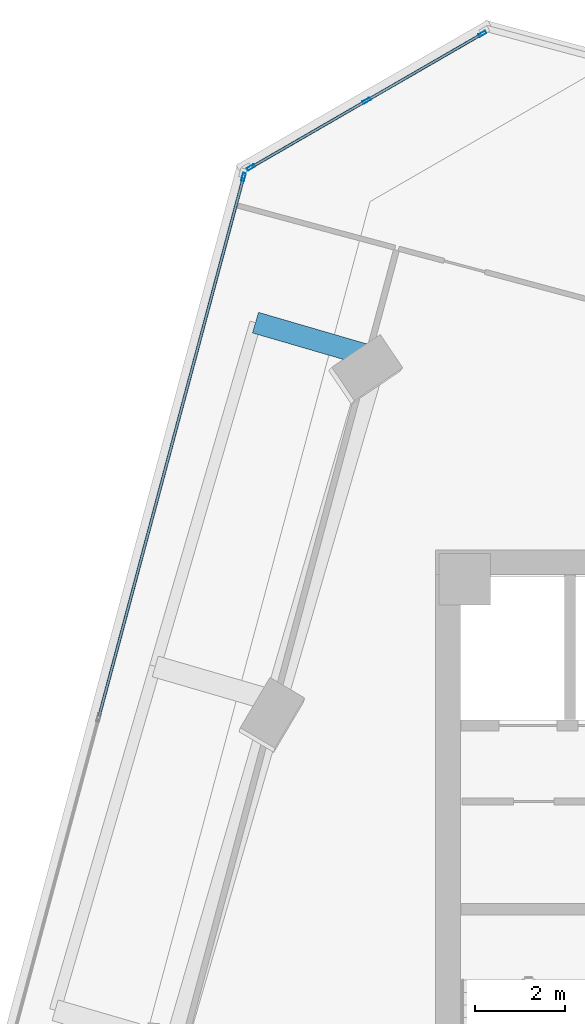
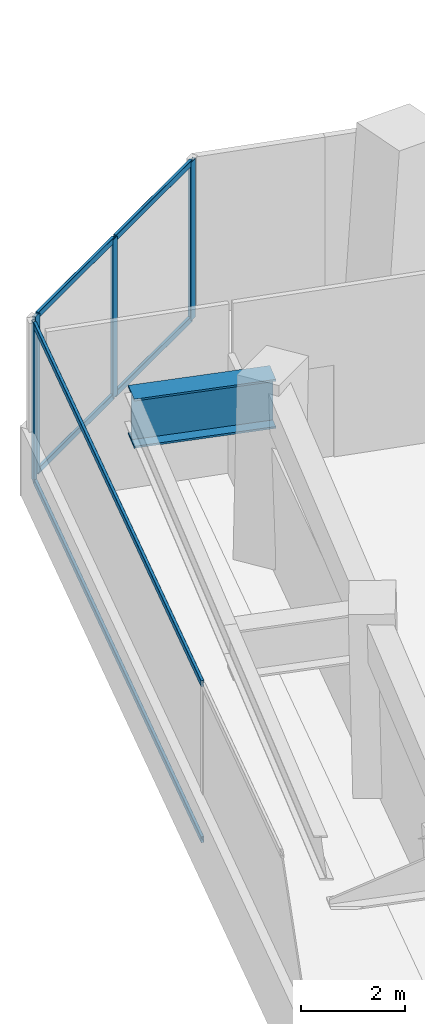
# One storey, part 12 of 26: 10 members, 1 beam, 2 elements without a shape of their own.
"""IFC4 building model written with IfcOpenShell, lengths in metres."""

from ifc_helpers import new_model, si_unit, direction, frame, origin, origin_2d, place, context, subcontext, project, spatial, hollow_rectangle, i_section, extrude, source, transform, mapped, material, material_profile, profile_set, type_object, element, aggregate, save


model = new_model("IFC4")

# Units and contexts
model_context = context("Model", 3, precision=1e-05, world=origin(), true_north=direction((0.0, 1.0)))
body_context = subcontext(model_context, "Body", "Model", "MODEL_VIEW")
ifc_project = project(units=[si_unit("LENGTHUNIT", "METRE"), si_unit("AREAUNIT", "SQUARE_METRE"), si_unit("VOLUMEUNIT", "CUBIC_METRE"), si_unit("PLANEANGLEUNIT", "RADIAN"), si_unit("MASSUNIT", "GRAM", prefix="KILO")], contexts=[model_context])

# Site, building, storey
site_placement = place(None, origin())
site = spatial("IfcSite", under=ifc_project, at=site_placement, CompositionType="ELEMENT")
building_placement = place(site_placement, origin())
building = spatial("IfcBuilding", under=site, at=building_placement, Name="Torre Montelarca", CompositionType="ELEMENT")
storey_placement = place(building_placement, frame((0.0, 0.0, 104.199951171875)))
storey = spatial("IfcBuildingStorey", under=building, at=storey_placement, Name="L23", CompositionType="ELEMENT", Elevation=104.199951171875)

# Beam
ifc_material_1 = material(Name="Steel ASTM A572 Grade 50", Category="steel")
ifc_material_profile_1 = material_profile(ifc_material_1, i_section(OverallWidth=0.47998046875, OverallDepth=1.14990234375, WebThickness=0.02197265625, FlangeThickness=0.044921875, at=origin_2d()), Name="PG1150X480X22X45", Category="steel")
ifc_profile_set_1 = profile_set([ifc_material_profile_1], Name="Steel ASTM A572 Grade 50")
beam_type = type_object("IfcBeamType", Name="BM-CG-PG1400-EXT", PredefinedType="USERDEFINED", material=ifc_profile_set_1)
shared_shape_1 = source(origin(), body_context, "Body", "SweptSolid", [
    extrude(i_section(OverallWidth=0.47998046875, OverallDepth=1.14990234375, WebThickness=0.02197265625, FlangeThickness=0.044921875, at=origin_2d()), origin(), (0.0, 0.0, 1.0), 2.7998046875),
])
beam_placement = place(storey_placement, frame((7.561767578125, 44.3955078125, 3.385009765625), z_axis=(-0.960052720473, 0.279819180745, 0.0), x_axis=(-0.279819180745, -0.960052720473, 0.0)))
element("IfcBeam", 1, at=beam_placement, inside=storey, type_object=beam_type, Name="L23 Sliding Tray Cantilever Girder West Y=40.0m (FLR)", ObjectType="CANTILEVER GIRDER", PredefinedType="USERDEFINED", context=body_context, shape_type="MappedRepresentation", body=[
    mapped(shared_shape_1, transform((0.0, 0.0, 0.0), scale=1.0)),
])

# Curtain wall, members
ifc_material_2 = material(Name="Insulated low-E laminated glass", Category="glass")
curtain_wall_type = type_object("IfcCurtainWallType", Name="CW-SYS-Z1", PredefinedType="USERDEFINED", material=ifc_material_2)
curtain_wall_1_placement = place(storey_placement, origin())
curtain_wall_1 = element("IfcCurtainWall", 2, at=curtain_wall_1_placement, inside=storey, type_object=curtain_wall_type, Name="L23 Curtain Wall Run CW-T3-L23-E09-B1", ObjectType="UNITISED GLAZING", PredefinedType="USERDEFINED")
ifc_material_3 = material(Name="Anodised aluminium AA 6063-T6", Category="aluminium")
ifc_material_profile_2 = material_profile(ifc_material_3, hollow_rectangle(XDim=0.06494140625, YDim=0.139892578125, WallThickness=0.00390625, InnerFilletRadius=0.00390625, OuterFilletRadius=0.008056640625, at=origin_2d()), Name="ALU65X140X4", Category="aluminium")
ifc_profile_set_2 = profile_set([ifc_material_profile_2], Name="Anodised aluminium AA 6063-T6")
member_type_1 = type_object("IfcMemberType", Name="CWT-ALU140", PredefinedType="USERDEFINED", material=ifc_profile_set_2)
shared_shape_2 = source(origin(), body_context, "Body", "SweptSolid", [
    extrude(hollow_rectangle(XDim=0.06494140625, YDim=0.139892578125, WallThickness=0.00390625, InnerFilletRadius=0.00390625, OuterFilletRadius=0.008056640625, at=origin_2d()), origin(), (0.0, 0.0, 1.0), 2.9189453125),
])
member_1_placement = place(storey_placement, frame((7.326171875, 50.12109375, 0.032470703125), z_axis=(-0.866021227388, -0.500007233661, 0.0), x_axis=(0.500007233661, -0.866021227388, 0.0)))
member_1 = element("IfcMember", 3, at=member_1_placement, type_object=member_type_1, Name="CW transom 2.1", ObjectType="TRANSOM", PredefinedType="USERDEFINED", context=body_context, shape_type="MappedRepresentation", body=[
    mapped(shared_shape_2, transform((0.0, 0.0, 0.0), scale=1.0)),
])
member_2_placement = place(storey_placement, frame((7.326171875, 50.12109375, 3.6875), z_axis=(-0.866021227388, -0.500007233661, 0.0), x_axis=(0.500007233661, -0.866021227388, 0.0)))
member_2 = element("IfcMember", 4, at=member_2_placement, type_object=member_type_1, Name="CW transom 2.2", ObjectType="TRANSOM", PredefinedType="USERDEFINED", context=body_context, shape_type="MappedRepresentation", body=[
    mapped(shared_shape_2, transform((0.0, 0.0, 0.0), scale=1.0)),
])
shared_shape_3 = source(origin(), body_context, "Body", "SweptSolid", [
    extrude(hollow_rectangle(XDim=0.06494140625, YDim=0.139892578125, WallThickness=0.00390625, InnerFilletRadius=0.00390625, OuterFilletRadius=0.008056640625, at=origin_2d()), origin(), (0.0, 0.0, 1.0), 2.91845703125),
])
member_3_placement = place(storey_placement, frame((9.909912109375, 51.61279296875, 0.032470703125), z_axis=(-0.866036535882, -0.499980718146, 0.0), x_axis=(0.499980718146, -0.866036535882, 0.0)))
member_3 = element("IfcMember", 5, at=member_3_placement, type_object=member_type_1, Name="CW transom 1.1", ObjectType="TRANSOM", PredefinedType="USERDEFINED", context=body_context, shape_type="MappedRepresentation", body=[
    mapped(shared_shape_3, transform((0.0, 0.0, 0.0), scale=1.0)),
])
member_4_placement = place(storey_placement, frame((9.909912109375, 51.61279296875, 3.6875), z_axis=(-0.866036535882, -0.499980718146, 0.0), x_axis=(0.499980718146, -0.866036535882, 0.0)))
member_4 = element("IfcMember", 6, at=member_4_placement, type_object=member_type_1, Name="CW transom 1.2", ObjectType="TRANSOM", PredefinedType="USERDEFINED", context=body_context, shape_type="MappedRepresentation", body=[
    mapped(shared_shape_3, transform((0.0, 0.0, 0.0), scale=1.0)),
])

curtain_wall_2_placement = place(storey_placement, origin())
curtain_wall_2 = element("IfcCurtainWall", 7, at=curtain_wall_2_placement, inside=storey, type_object=curtain_wall_type, Name="L23 Curtain Wall Run CW-T3-L23-E10-B1", ObjectType="UNITISED GLAZING", PredefinedType="USERDEFINED")
shared_shape_4 = source(origin(), body_context, "Body", "SweptSolid", [
    extrude(hollow_rectangle(XDim=0.06494140625, YDim=0.139892578125, WallThickness=0.00390625, InnerFilletRadius=0.00390625, OuterFilletRadius=0.008056640625, at=origin_2d()), origin(), (0.0, 0.0, 1.0), 12.4365234375),
])
member_5_placement = place(storey_placement, frame((4.599365234375, 48.402099609375, 0.032470703125), z_axis=(-0.258834209486, -0.965921762877, 0.0), x_axis=(0.965921762877, -0.258834209486, 0.0)))
member_5 = element("IfcMember", 8, at=member_5_placement, type_object=member_type_1, Name="CW transom 1.1", ObjectType="TRANSOM", PredefinedType="USERDEFINED", context=body_context, shape_type="MappedRepresentation", body=[
    mapped(shared_shape_4, transform((0.0, 0.0, 0.0), scale=1.0)),
])
member_6_placement = place(storey_placement, frame((4.599365234375, 48.402099609375, 3.6875), z_axis=(-0.258834209486, -0.965921762877, 0.0), x_axis=(0.965921762877, -0.258834209486, 0.0)))
member_6 = element("IfcMember", 9, at=member_6_placement, type_object=member_type_1, Name="CW transom 1.2", ObjectType="TRANSOM", PredefinedType="USERDEFINED", context=body_context, shape_type="MappedRepresentation", body=[
    mapped(shared_shape_4, transform((0.0, 0.0, 0.0), scale=1.0)),
])

# Member
ifc_material_profile_3 = material_profile(ifc_material_3, hollow_rectangle(XDim=0.06494140625, YDim=0.179931640625, WallThickness=0.00390625, InnerFilletRadius=0.00390625, OuterFilletRadius=0.008056640625, at=origin_2d()), Name="ALU65X180X4", Category="aluminium")
ifc_profile_set_3 = profile_set([ifc_material_profile_3], Name="Anodised aluminium AA 6063-T6")
member_type_2 = type_object("IfcMemberType", Name="CWM-ALU180", PredefinedType="MULLION", material=ifc_profile_set_3)
shared_shape_5 = source(origin(), body_context, "Body", "SweptSolid", [
    extrude(hollow_rectangle(XDim=0.06494140625, YDim=0.179931640625, WallThickness=0.00390625, InnerFilletRadius=0.00390625, OuterFilletRadius=0.008056640625, at=origin_2d()), origin(), (0.0, 0.0, 1.0), 3.719970703125),
])
member_7_placement = place(storey_placement, frame((9.938232421875, 51.629150390625, 0.0), z_axis=(0.0, 0.0, 1.0), x_axis=(0.50000083595, -0.866024921148, 0.0)))
member_7 = element("IfcMember", 10, at=member_7_placement, type_object=member_type_2, Name="CW mullion 1", PredefinedType="MULLION", context=body_context, shape_type="MappedRepresentation", body=[
    mapped(shared_shape_5, transform((0.0, 0.0, 0.0), scale=1.0)),
])

member_8_placement = place(storey_placement, frame((7.354248046875, 50.13720703125, 0.0), z_axis=(0.0, 0.0, 1.0), x_axis=(0.50000083595, -0.866024921148, 0.0)))
member_8 = element("IfcMember", 11, at=member_8_placement, type_object=member_type_2, Name="CW mullion 2", PredefinedType="MULLION", context=body_context, shape_type="MappedRepresentation", body=[
    mapped(shared_shape_5, transform((0.0, 0.0, 0.0), scale=1.0)),
])

member_9_placement = place(storey_placement, frame((4.770263671875, 48.6455078125, 0.0), z_axis=(0.0, 0.0, 1.0), x_axis=(0.50000083595, -0.866024921148, 0.0)))
member_9 = element("IfcMember", 12, at=member_9_placement, type_object=member_type_2, Name="CW mullion 3", PredefinedType="MULLION", context=body_context, shape_type="MappedRepresentation", body=[
    mapped(shared_shape_5, transform((0.0, 0.0, 0.0), scale=1.0)),
])

aggregate(curtain_wall_1, [member_7, member_8, member_9, member_3, member_4, member_1, member_2])

member_10_placement = place(storey_placement, frame((4.607666015625, 48.43359375, 0.0), z_axis=(0.0, 0.0, 1.0), x_axis=(0.965926043153, -0.258818235755, 0.0)))
member_10 = element("IfcMember", 13, at=member_10_placement, type_object=member_type_2, Name="CW mullion 1", PredefinedType="MULLION", context=body_context, shape_type="MappedRepresentation", body=[
    mapped(shared_shape_5, transform((0.0, 0.0, 0.0), scale=1.0)),
])

aggregate(curtain_wall_2, [member_10, member_5, member_6])

save(model, "model.ifc")
